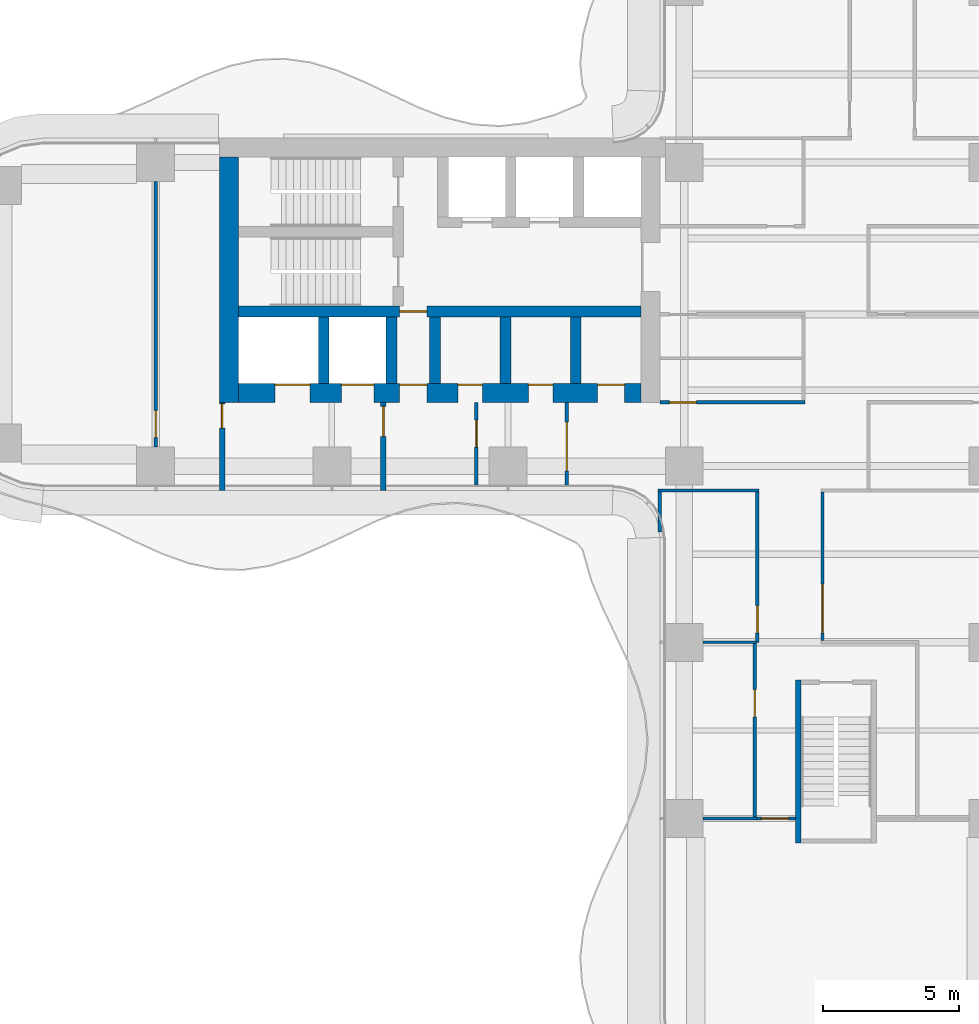
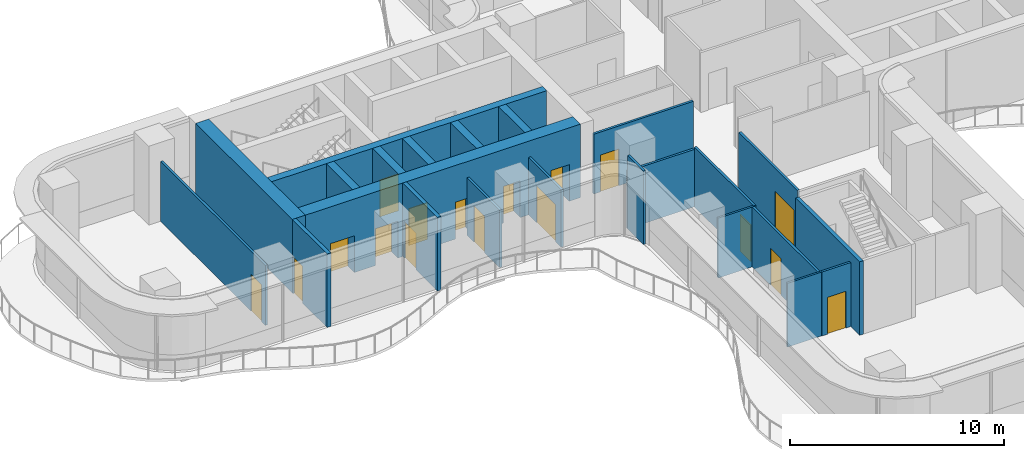
# One storey, part 17 of 22: 23 walls, 17 doors, 17 openings.
"""IFC4 building model written with IfcOpenShell, lengths in metres."""

from ifc_helpers import new_model, si_unit, direction, frame, frame_2d, origin, place, context, subcontext, project, spatial, rectangle, extrude, source, transform, mapped, material, layer, layer_set, type_object, element, fill, save


model = new_model("IFC4")

# Units and contexts
model_context = context("Model", 3, precision=1e-05, world=origin(), true_north=direction((0.0, 1.0)))
body_context = subcontext(model_context, "Body", "Model", "MODEL_VIEW")
ifc_project = project(units=[si_unit("LENGTHUNIT", "METRE"), si_unit("AREAUNIT", "SQUARE_METRE"), si_unit("VOLUMEUNIT", "CUBIC_METRE"), si_unit("PLANEANGLEUNIT", "RADIAN"), si_unit("MASSUNIT", "GRAM", prefix="KILO")], contexts=[model_context])

# Site, building, storey
site_placement = place(None, origin())
site = spatial("IfcSite", under=ifc_project, at=site_placement, CompositionType="ELEMENT")
building_placement = place(site_placement, origin())
building = spatial("IfcBuilding", under=site, at=building_placement, Name="Trellis Farm Tower", CompositionType="ELEMENT")
storey_placement = place(building_placement, frame((0.0, 0.0, 88.0)))
storey = spatial("IfcBuildingStorey", under=building, at=storey_placement, Name="L18", CompositionType="ELEMENT", Elevation=88.0)

# Wall, opening, door
ifc_material_1 = material(Name="Plasterboard on steel studs, mineral wool", Category="steel")
ifc_layer_1 = layer(ifc_material_1, 0.125)
ifc_layer_set_1 = layer_set([ifc_layer_1], Name="PARTITION 125 STUD EI 60")
wall_type_1 = type_object("IfcWallType", Name="PARTITION 125 STUD EI 60", PredefinedType="PARTITIONING", material=ifc_layer_set_1)
wall_1_placement = place(storey_placement, frame((-3.0, -18.550048828125, 0.0), z_axis=(0.0, 0.0, 1.0), x_axis=(0.0, 1.0, 0.0)))
wall_1 = element("IfcWall", 1, at=wall_1_placement, inside=storey, type_object=wall_type_1, Name="Partition PW1", PredefinedType="PARTITIONING", context=body_context, shape_type="SweptSolid", body=[
    extrude(rectangle(XDim=6.400146484375, YDim=0.125, at=frame_2d((3.2001953125, 0.0))), origin(), (0.0, 0.0, 1.0), 3.417724609375),
])
shared_shape_1 = source(origin(), body_context, "Body", "SweptSolid", [
    extrude(rectangle(XDim=1.0, YDim=2.10009765625, at=frame_2d((0.5, 1.050048828125))), frame((0.0, 0.072509765625, 0.0), z_axis=(0.0, -1.0, 0.0), x_axis=(1.0, 0.0, 0.0)), (0.0, 0.0, 1.0), 0.14501953125),
])
opening_1_placement = place(wall_1_placement, frame((3.699951171875, 0.0, 0.0)))
opening_1 = element("IfcOpeningElement", 2, at=opening_1_placement, cuts=wall_1, Name="Opening D102", PredefinedType="OPENING", context=body_context, shape_type="MappedRepresentation", body=[
    mapped(shared_shape_1, transform((0.0, 0.0, 0.0))),
])
ifc_material_2 = material(Name="Fire-rated timber door leaf in a hollow metal frame", Category="wood")
door_type_1 = type_object("IfcDoorType", Name="DOOR 1000x2100 FD30S", OperationType="NOTDEFINED", PredefinedType="DOOR", material=ifc_material_2)
shared_shape_2 = source(origin(), body_context, "Body", "SweptSolid", [
    extrude(rectangle(XDim=1.0, YDim=2.10009765625, at=frame_2d((0.5, 1.050048828125))), frame((0.0, 0.02490234375, 0.0), z_axis=(0.0, -1.0, 0.0), x_axis=(1.0, 0.0, 0.0)), (0.0, 0.0, 1.0), 0.050048828125),
])
door_1_placement = place(opening_1_placement, origin())
door_1 = element("IfcDoor", 3, at=door_1_placement, inside=storey, type_object=door_type_1, Name="Door D102", OperationType="SINGLE_SWING_RIGHT", OverallHeight=2.10009765625, OverallWidth=1.0, PredefinedType="DOOR", context=body_context, shape_type="MappedRepresentation", body=[
    mapped(shared_shape_2, transform((0.0, 0.0, 0.0))),
])
fill(opening_1, door_1)

# Walls
ifc_material_3 = material(Name="Concrete C80/95", Category="concrete")
ifc_layer_2 = layer(ifc_material_3, 0.699951171875)
ifc_layer_set_2 = layer_set([ifc_layer_2], Name="CORE OUTER WALL 700 CONCRETE C80/95")
wall_type_2 = type_object("IfcWallType", Name="CORE OUTER WALL 700 CONCRETE C80/95", PredefinedType="SHEAR", material=ifc_layer_set_2)
shared_shape_3 = source(origin(), body_context, "Body", "SweptSolid", [
    extrude(rectangle(XDim=9.050048828125, YDim=0.699951171875, at=frame_2d((4.52490234375, 0.0))), origin(), (0.0, 0.0, 1.0), 4.199951171875),
])
wall_2_placement = place(storey_placement, frame((-22.39990234375, 5.800048828125, 0.0), z_axis=(0.0, 0.0, 1.0), x_axis=(0.0, -1.0, 0.0)))
element("IfcWall", 4, at=wall_2_placement, inside=storey, type_object=wall_type_2, Name="Core wall", PredefinedType="SHEAR", context=body_context, shape_type="MappedRepresentation", body=[
    mapped(shared_shape_3, transform((0.0, 0.0, 0.0))),
])
ifc_layer_3 = layer(ifc_material_3, 0.39990234375)
ifc_layer_set_3 = layer_set([ifc_layer_3], Name="CORE INNER WALL 400 CONCRETE C80/95")
wall_type_3 = type_object("IfcWallType", Name="CORE INNER WALL 400 CONCRETE C80/95", PredefinedType="SHEAR", material=ifc_layer_set_3)
shared_shape_4 = source(origin(), body_context, "Body", "SweptSolid", [
    extrude(rectangle(XDim=2.449951171875, YDim=0.39990234375, at=frame_2d((1.22509765625, 0.0))), origin(), (0.0, 0.0, 1.0), 4.199951171875),
])
for number, where, z_axis, x_axis, name in (
    (5, (-9.60009765625, -0.10009765625, 0.0), (0.0, 0.0, 1.0), (0.0, -1.0, 0.0), "Core wall"),
    (6, (-12.199951171875, -0.10009765625, 0.0), (0.0, 0.0, 1.0), (0.0, -1.0, 0.0), "Core wall"),
    (7, (-14.800048828125, -0.10009765625, 0.0), (0.0, 0.0, 1.0), (0.0, -1.0, 0.0), "Core wall"),
    (8, (-16.39990234375, -0.10009765625, 0.0), (0.0, 0.0, 1.0), (0.0, -1.0, 0.0), "Core wall"),
    (9, (-18.89990234375, -0.10009765625, 0.0), (0.0, 0.0, 1.0), (0.0, -1.0, 0.0), "Core wall"),
):
    element("IfcWall", number, at=place(storey_placement, frame(where, z_axis=z_axis, x_axis=x_axis)), inside=storey, type_object=wall_type_3, Name=name, PredefinedType="SHEAR", context=body_context, shape_type="MappedRepresentation", body=[
        mapped(shared_shape_4, transform((0.0, 0.0, 0.0))),
    ])

# Wall, opening, door
ifc_material_4 = material(Name="Masonry blockwork", Category="masonry")
ifc_layer_4 = layer(ifc_material_4, 0.199951171875)
ifc_layer_set_4 = layer_set([ifc_layer_4], Name="FIRE LOBBY PARTITION 200 BLOCKWORK")
wall_type_4 = type_object("IfcWallType", Name="FIRE LOBBY PARTITION 200 BLOCKWORK", PredefinedType="PARTITIONING", material=ifc_layer_set_4)
shared_shape_5 = source(origin(), body_context, "Body", "SweptSolid", [
    extrude(rectangle(XDim=3.25, YDim=0.199951171875, at=frame_2d((1.625, 0.0))), origin(), (0.0, 0.0, 1.0), 4.199951171875),
])
wall_3_placement = place(storey_placement, frame((-16.699951171875, -3.25, 0.0), z_axis=(0.0, 0.0, 1.0), x_axis=(0.0, -1.0, 0.0)))
wall_3 = element("IfcWall", 10, at=wall_3_placement, inside=storey, type_object=wall_type_4, Name="Fire-fighting lobby partition", PredefinedType="PARTITIONING", context=body_context, shape_type="MappedRepresentation", body=[
    mapped(shared_shape_5, transform((0.0, 0.0, 0.0))),
])
shared_shape_6 = source(origin(), body_context, "Body", "SweptSolid", [
    extrude(rectangle(XDim=1.10009765625, YDim=2.10009765625, at=frame_2d((0.550048828125, 1.050048828125))), frame((0.0, 0.110107421875, 0.0), z_axis=(0.0, -1.0, 0.0), x_axis=(1.0, 0.0, 0.0)), (0.0, 0.0, 1.0), 0.22021484375),
])
opening_2_placement = place(wall_3_placement, frame((0.14990234375, 0.0, 0.0)))
opening_2 = element("IfcOpeningElement", 11, at=opening_2_placement, cuts=wall_3, Name="Opening DC93", PredefinedType="OPENING", context=body_context, shape_type="MappedRepresentation", body=[
    mapped(shared_shape_6, transform((0.0, 0.0, 0.0))),
])
ifc_material_5 = material(Name="Steel", Category="steel")
door_type_2 = type_object("IfcDoorType", Name="CORE FIRE DOOR 1100 X 2100", OperationType="NOTDEFINED", PredefinedType="DOOR", material=ifc_material_5)
shared_shape_7 = source(origin(), body_context, "Body", "SweptSolid", [
    extrude(rectangle(XDim=1.10009765625, YDim=2.10009765625, at=frame_2d((0.550048828125, 1.050048828125))), frame((0.0, 0.02490234375, 0.0), z_axis=(0.0, -1.0, 0.0), x_axis=(1.0, 0.0, 0.0)), (0.0, 0.0, 1.0), 0.050048828125),
])
door_2_placement = place(opening_2_placement, origin())
door_2 = element("IfcDoor", 12, at=door_2_placement, inside=storey, type_object=door_type_2, Name="Core door", OperationType="SINGLE_SWING_RIGHT", OverallHeight=2.10009765625, OverallWidth=1.10009765625, PredefinedType="DOOR", context=body_context, shape_type="MappedRepresentation", body=[
    mapped(shared_shape_7, transform((0.0, 0.0, 0.0))),
])
fill(opening_2, door_2)

wall_4_placement = place(storey_placement, frame((-22.64990234375, -3.25, 0.0), z_axis=(0.0, 0.0, 1.0), x_axis=(0.0, -1.0, 0.0)))
wall_4 = element("IfcWall", 13, at=wall_4_placement, inside=storey, type_object=wall_type_4, Name="Fire-fighting lobby partition", PredefinedType="PARTITIONING", context=body_context, shape_type="MappedRepresentation", body=[
    mapped(shared_shape_5, transform((0.0, 0.0, 0.0))),
])
shared_shape_8 = source(origin(), body_context, "Body", "SweptSolid", [
    extrude(rectangle(XDim=0.89990234375, YDim=2.10009765625, at=frame_2d((0.449951171875, 1.050048828125))), frame((0.0, 0.110107421875, 0.0), z_axis=(0.0, -1.0, 0.0), x_axis=(1.0, 0.0, 0.0)), (0.0, 0.0, 1.0), 0.22021484375),
])
opening_3_placement = place(wall_4_placement, frame((0.050048828125, 0.0, 0.0)))
opening_3 = element("IfcOpeningElement", 14, at=opening_3_placement, cuts=wall_4, Name="Opening DC94", PredefinedType="OPENING", context=body_context, shape_type="MappedRepresentation", body=[
    mapped(shared_shape_8, transform((0.0, 0.0, 0.0))),
])
door_type_3 = type_object("IfcDoorType", Name="CORE FIRE DOOR 900 X 2100", OperationType="NOTDEFINED", PredefinedType="DOOR", material=ifc_material_5)
shared_shape_9 = source(origin(), body_context, "Body", "SweptSolid", [
    extrude(rectangle(XDim=0.89990234375, YDim=2.10009765625, at=frame_2d((0.449951171875, 1.050048828125))), frame((0.0, 0.02490234375, 0.0), z_axis=(0.0, -1.0, 0.0), x_axis=(1.0, 0.0, 0.0)), (0.0, 0.0, 1.0), 0.050048828125),
])
door_3_placement = place(opening_3_placement, origin())
door_3 = element("IfcDoor", 15, at=door_3_placement, inside=storey, type_object=door_type_3, Name="Core door", OperationType="SINGLE_SWING_RIGHT", OverallHeight=2.10009765625, OverallWidth=0.89990234375, PredefinedType="DOOR", context=body_context, shape_type="MappedRepresentation", body=[
    mapped(shared_shape_9, transform((0.0, 0.0, 0.0))),
])
fill(opening_3, door_3)

# Wall, openings, doors
shared_shape_10 = source(origin(), body_context, "Body", "SweptSolid", [
    extrude(rectangle(XDim=14.85009765625, YDim=0.699951171875, at=frame_2d((7.425048828125, 0.0))), origin(), (0.0, 0.0, 1.0), 4.199951171875),
])
wall_5_placement = place(storey_placement, frame((-7.199951171875, -2.89990234375, 0.0), z_axis=(0.0, 0.0, 1.0), x_axis=(-1.0, 0.0, 0.0)))
wall_5 = element("IfcWall", 16, at=wall_5_placement, inside=storey, type_object=wall_type_2, Name="Core wall", PredefinedType="SHEAR", context=body_context, shape_type="MappedRepresentation", body=[
    mapped(shared_shape_10, transform((0.0, 0.0, 0.0))),
])
shared_shape_11 = source(origin(), body_context, "Body", "SweptSolid", [
    extrude(rectangle(XDim=1.300048828125, YDim=2.10009765625, at=frame_2d((0.64990234375, 1.050048828125))), frame((0.0, 0.360107421875, 0.0), z_axis=(0.0, -1.0, 0.0), x_axis=(1.0, 0.0, 0.0)), (0.0, 0.0, 1.0), 0.72021484375),
])
opening_4_placement = place(wall_5_placement, frame((12.199951171875, 0.0, 0.0)))
opening_4 = element("IfcOpeningElement", 17, at=opening_4_placement, cuts=wall_5, Name="Opening LD15", PredefinedType="OPENING", context=body_context, shape_type="MappedRepresentation", body=[
    mapped(shared_shape_11, transform((0.0, 0.0, 0.0))),
])
shared_shape_12 = source(origin(), body_context, "Body", "SweptSolid", [
    extrude(rectangle(XDim=1.199951171875, YDim=2.10009765625, at=frame_2d((0.60009765625, 1.050048828125))), frame((0.0, 0.360107421875, 0.0), z_axis=(0.0, -1.0, 0.0), x_axis=(1.0, 0.0, 0.0)), (0.0, 0.0, 1.0), 0.72021484375),
])
opening_5_placement = place(wall_5_placement, frame((9.85009765625, 0.0, 0.0)))
opening_5 = element("IfcOpeningElement", 18, at=opening_5_placement, cuts=wall_5, Name="Opening LD16", PredefinedType="OPENING", context=body_context, shape_type="MappedRepresentation", body=[
    mapped(shared_shape_12, transform((0.0, 0.0, 0.0))),
])
shared_shape_13 = source(origin(), body_context, "Body", "SweptSolid", [
    extrude(rectangle(XDim=1.0, YDim=2.10009765625, at=frame_2d((0.5, 1.050048828125))), frame((0.0, 0.360107421875, 0.0), z_axis=(0.0, -1.0, 0.0), x_axis=(1.0, 0.0, 0.0)), (0.0, 0.0, 1.0), 0.72021484375),
])
opening_6_placement = place(wall_5_placement, frame((7.89990234375, 0.0, 0.0)))
opening_6 = element("IfcOpeningElement", 19, at=opening_6_placement, cuts=wall_5, Name="Opening DC92", PredefinedType="OPENING", context=body_context, shape_type="MappedRepresentation", body=[
    mapped(shared_shape_13, transform((0.0, 0.0, 0.0))),
])
opening_7_placement = place(wall_5_placement, frame((0.60009765625, 0.0, 0.0)))
opening_7 = element("IfcOpeningElement", 20, at=opening_7_placement, cuts=wall_5, Name="Opening DC99", PredefinedType="OPENING", context=body_context, shape_type="MappedRepresentation", body=[
    mapped(shared_shape_13, transform((0.0, 0.0, 0.0))),
])
shared_shape_14 = source(origin(), body_context, "Body", "SweptSolid", [
    extrude(rectangle(XDim=0.89990234375, YDim=2.10009765625, at=frame_2d((0.449951171875, 1.050048828125))), frame((0.0, 0.360107421875, 0.0), z_axis=(0.0, -1.0, 0.0), x_axis=(1.0, 0.0, 0.0)), (0.0, 0.0, 1.0), 0.72021484375),
])
opening_8_placement = place(wall_5_placement, frame((3.25, 0.0, 0.0)))
opening_8 = element("IfcOpeningElement", 21, at=opening_8_placement, cuts=wall_5, Name="Opening DC110", PredefinedType="OPENING", context=body_context, shape_type="MappedRepresentation", body=[
    mapped(shared_shape_14, transform((0.0, 0.0, 0.0))),
])
opening_9_placement = place(wall_5_placement, frame((5.85009765625, 0.0, 0.0)))
opening_9 = element("IfcOpeningElement", 22, at=opening_9_placement, cuts=wall_5, Name="Opening DC121", PredefinedType="OPENING", context=body_context, shape_type="MappedRepresentation", body=[
    mapped(shared_shape_14, transform((0.0, 0.0, 0.0))),
])
door_type_4 = type_object("IfcDoorType", Name="CORE FIRE DOOR 1000 X 2100", OperationType="NOTDEFINED", PredefinedType="DOOR", material=ifc_material_5)
shared_shape_15 = source(origin(), body_context, "Body", "SweptSolid", [
    extrude(rectangle(XDim=1.0, YDim=2.10009765625, at=frame_2d((0.5, 1.050048828125))), frame((0.0, -0.27490234375, 0.0), z_axis=(0.0, -1.0, 0.0), x_axis=(1.0, 0.0, 0.0)), (0.0, 0.0, 1.0), 0.050048828125),
])
door_4_placement = place(opening_6_placement, origin())
door_4 = element("IfcDoor", 23, at=door_4_placement, inside=storey, type_object=door_type_4, Name="Core door", OperationType="SINGLE_SWING_LEFT", OverallHeight=2.10009765625, OverallWidth=1.0, PredefinedType="DOOR", context=body_context, shape_type="MappedRepresentation", body=[
    mapped(shared_shape_15, transform((0.0, 0.0, 0.0))),
])
fill(opening_6, door_4)
door_5_placement = place(opening_7_placement, origin())
door_5 = element("IfcDoor", 24, at=door_5_placement, inside=storey, type_object=door_type_4, Name="Core door", OperationType="SINGLE_SWING_LEFT", OverallHeight=2.10009765625, OverallWidth=1.0, PredefinedType="DOOR", context=body_context, shape_type="MappedRepresentation", body=[
    mapped(shared_shape_15, transform((0.0, 0.0, 0.0))),
])
fill(opening_7, door_5)
shared_shape_16 = source(origin(), body_context, "Body", "SweptSolid", [
    extrude(rectangle(XDim=0.89990234375, YDim=2.10009765625, at=frame_2d((0.449951171875, 1.050048828125))), frame((0.0, -0.27490234375, 0.0), z_axis=(0.0, -1.0, 0.0), x_axis=(1.0, 0.0, 0.0)), (0.0, 0.0, 1.0), 0.050048828125),
])
door_6_placement = place(opening_8_placement, origin())
door_6 = element("IfcDoor", 25, at=door_6_placement, inside=storey, type_object=door_type_3, Name="Core door", OperationType="SINGLE_SWING_RIGHT", OverallHeight=2.10009765625, OverallWidth=0.89990234375, PredefinedType="DOOR", context=body_context, shape_type="MappedRepresentation", body=[
    mapped(shared_shape_16, transform((0.0, 0.0, 0.0))),
])
fill(opening_8, door_6)
door_7_placement = place(opening_9_placement, origin())
door_7 = element("IfcDoor", 26, at=door_7_placement, inside=storey, type_object=door_type_3, Name="Core door", OperationType="SINGLE_SWING_LEFT", OverallHeight=2.10009765625, OverallWidth=0.89990234375, PredefinedType="DOOR", context=body_context, shape_type="MappedRepresentation", body=[
    mapped(shared_shape_16, transform((0.0, 0.0, 0.0))),
])
fill(opening_9, door_7)
ifc_material_6 = material(Name="Stainless steel", Category="steel")
door_type_5 = type_object("IfcDoorType", Name="LIFT LANDING DOOR 1300 X 2100", OperationType="DOUBLE_DOOR_SLIDING", PredefinedType="DOOR", material=ifc_material_6)
shared_shape_17 = source(origin(), body_context, "Body", "SweptSolid", [
    extrude(rectangle(XDim=1.300048828125, YDim=2.10009765625, at=frame_2d((0.64990234375, 1.050048828125))), frame((0.0, -0.27490234375, 0.0), z_axis=(0.0, -1.0, 0.0), x_axis=(1.0, 0.0, 0.0)), (0.0, 0.0, 1.0), 0.050048828125),
])
door_8_placement = place(opening_4_placement, origin())
door_8 = element("IfcDoor", 27, at=door_8_placement, inside=storey, type_object=door_type_5, Name="Lift landing door", OperationType="DOUBLE_DOOR_SLIDING", OverallHeight=2.10009765625, OverallWidth=1.300048828125, PredefinedType="DOOR", context=body_context, shape_type="MappedRepresentation", body=[
    mapped(shared_shape_17, transform((0.0, 0.0, 0.0))),
])
fill(opening_4, door_8)
door_type_6 = type_object("IfcDoorType", Name="LIFT LANDING DOOR 1200 X 2100", OperationType="DOUBLE_DOOR_SLIDING", PredefinedType="DOOR", material=ifc_material_6)
shared_shape_18 = source(origin(), body_context, "Body", "SweptSolid", [
    extrude(rectangle(XDim=1.199951171875, YDim=2.10009765625, at=frame_2d((0.60009765625, 1.050048828125))), frame((0.0, -0.27490234375, 0.0), z_axis=(0.0, -1.0, 0.0), x_axis=(1.0, 0.0, 0.0)), (0.0, 0.0, 1.0), 0.050048828125),
])
door_9_placement = place(opening_5_placement, origin())
door_9 = element("IfcDoor", 28, at=door_9_placement, inside=storey, type_object=door_type_6, Name="Lift landing door", OperationType="DOUBLE_DOOR_SLIDING", OverallHeight=2.10009765625, OverallWidth=1.199951171875, PredefinedType="DOOR", context=body_context, shape_type="MappedRepresentation", body=[
    mapped(shared_shape_18, transform((0.0, 0.0, 0.0))),
])
fill(opening_5, door_9)

# Wall, opening, door
shared_shape_19 = source(origin(), body_context, "Body", "SweptSolid", [
    extrude(rectangle(XDim=14.85009765625, YDim=0.39990234375, at=frame_2d((7.425048828125, 0.0))), origin(), (0.0, 0.0, 1.0), 4.199951171875),
])
wall_6_placement = place(storey_placement, frame((-7.199951171875, 0.10009765625, 0.0), z_axis=(0.0, 0.0, 1.0), x_axis=(-1.0, 0.0, 0.0)))
wall_6 = element("IfcWall", 29, at=wall_6_placement, inside=storey, type_object=wall_type_3, Name="Core wall", PredefinedType="SHEAR", context=body_context, shape_type="MappedRepresentation", body=[
    mapped(shared_shape_19, transform((0.0, 0.0, 0.0))),
])
shared_shape_20 = source(origin(), body_context, "Body", "SweptSolid", [
    extrude(rectangle(XDim=1.0, YDim=2.10009765625, at=frame_2d((0.5, 1.050048828125))), frame((0.0, 0.2099609375, 0.0), z_axis=(0.0, -1.0, 0.0), x_axis=(1.0, 0.0, 0.0)), (0.0, 0.0, 1.0), 0.419921875),
])
opening_10_placement = place(wall_6_placement, frame((7.89990234375, 0.0, 0.0)))
opening_10 = element("IfcOpeningElement", 30, at=opening_10_placement, cuts=wall_6, Name="Opening DC91", PredefinedType="OPENING", context=body_context, shape_type="MappedRepresentation", body=[
    mapped(shared_shape_20, transform((0.0, 0.0, 0.0))),
])
door_10_placement = place(opening_10_placement, origin())
door_10 = element("IfcDoor", 31, at=door_10_placement, inside=storey, type_object=door_type_4, Name="Core door", OperationType="SINGLE_SWING_RIGHT", OverallHeight=2.10009765625, OverallWidth=1.0, PredefinedType="DOOR", context=body_context, shape_type="MappedRepresentation", body=[
    mapped(shared_shape_2, transform((0.0, 0.0, 0.0))),
])
fill(opening_10, door_10)

# Wall
ifc_layer_5 = layer(ifc_material_3, 0.199951171875)
ifc_layer_set_5 = layer_set([ifc_layer_5], Name="CORE STAIR ENCLOSURE WALL 200 CONCRETE C80/95")
wall_type_5 = type_object("IfcWallType", Name="CORE STAIR ENCLOSURE WALL 200 CONCRETE C80/95", PredefinedType="SHEAR", material=ifc_layer_set_5)
shared_shape_21 = source(origin(), body_context, "Body", "SweptSolid", [
    extrude(rectangle(XDim=6.0, YDim=0.199951171875, at=frame_2d((3.0, 0.0))), origin(), (0.0, 0.0, 1.0), 4.199951171875),
])
wall_7_placement = place(storey_placement, frame((-1.39990234375, -13.5, 0.0), z_axis=(0.0, 0.0, 1.0), x_axis=(0.0, -1.0, 0.0)))
element("IfcWall", 32, at=wall_7_placement, inside=storey, type_object=wall_type_5, Name="Stair enclosure wall", PredefinedType="SHEAR", context=body_context, shape_type="MappedRepresentation", body=[
    mapped(shared_shape_21, transform((0.0, 0.0, 0.0))),
])

# Wall, opening, door
shared_shape_22 = source(origin(), body_context, "Body", "SweptSolid", [
    extrude(rectangle(XDim=3.050048828125, YDim=0.125, at=frame_2d((1.52490234375, 0.0))), origin(), (0.0, 0.0, 1.0), 3.280029296875),
])
wall_8_placement = place(storey_placement, frame((-13.26708984375, -6.300048828125, 0.0), z_axis=(0.0, 0.0, 1.0), x_axis=(0.0, 1.0, 0.0)))
wall_8 = element("IfcWall", 33, at=wall_8_placement, inside=storey, type_object=wall_type_1, Name="Partition PW1", PredefinedType="PARTITIONING", context=body_context, shape_type="MappedRepresentation", body=[
    mapped(shared_shape_22, transform((0.0, 0.0, 0.0))),
])
opening_11_placement = place(wall_8_placement, frame((1.39990234375, 0.0, 0.0)))
opening_11 = element("IfcOpeningElement", 34, at=opening_11_placement, cuts=wall_8, Name="Opening D301", PredefinedType="OPENING", context=body_context, shape_type="MappedRepresentation", body=[
    mapped(shared_shape_1, transform((0.0, 0.0, 0.0))),
])
door_type_7 = type_object("IfcDoorType", Name="DOOR 1000x2100 FD60", OperationType="NOTDEFINED", PredefinedType="DOOR", material=ifc_material_2)
door_11_placement = place(opening_11_placement, origin())
door_11 = element("IfcDoor", 35, at=door_11_placement, inside=storey, type_object=door_type_7, Name="Door D301", OperationType="SINGLE_SWING_LEFT", OverallHeight=2.10009765625, OverallWidth=1.0, PredefinedType="DOOR", context=body_context, shape_type="MappedRepresentation", body=[
    mapped(shared_shape_2, transform((0.0, 0.0, 0.0))),
])
fill(opening_11, door_11)

wall_9_placement = place(storey_placement, frame((-9.93408203125, -6.300048828125, 0.0), z_axis=(0.0, 0.0, 1.0), x_axis=(0.0, 1.0, 0.0)))
wall_9 = element("IfcWall", 36, at=wall_9_placement, inside=storey, type_object=wall_type_1, Name="Partition PW1", PredefinedType="PARTITIONING", context=body_context, shape_type="MappedRepresentation", body=[
    mapped(shared_shape_22, transform((0.0, 0.0, 0.0))),
])
shared_shape_23 = source(origin(), body_context, "Body", "SweptSolid", [
    extrude(rectangle(XDim=1.800048828125, YDim=2.10009765625, at=frame_2d((0.89990234375, 1.050048828125))), frame((0.0, 0.072509765625, 0.0), z_axis=(0.0, -1.0, 0.0), x_axis=(1.0, 0.0, 0.0)), (0.0, 0.0, 1.0), 0.14501953125),
])
opening_12_placement = place(wall_9_placement, frame((0.52490234375, 0.0, 0.0)))
opening_12 = element("IfcOpeningElement", 37, at=opening_12_placement, cuts=wall_9, Name="Opening D401", PredefinedType="OPENING", context=body_context, shape_type="MappedRepresentation", body=[
    mapped(shared_shape_23, transform((0.0, 0.0, 0.0))),
])
door_type_8 = type_object("IfcDoorType", Name="DOOR PAIR 1800x2100 FD60", OperationType="NOTDEFINED", PredefinedType="DOOR", material=ifc_material_2)
shared_shape_24 = source(origin(), body_context, "Body", "SweptSolid", [
    extrude(rectangle(XDim=1.800048828125, YDim=2.10009765625, at=frame_2d((0.89990234375, 1.050048828125))), frame((0.0, 0.02490234375, 0.0), z_axis=(0.0, -1.0, 0.0), x_axis=(1.0, 0.0, 0.0)), (0.0, 0.0, 1.0), 0.050048828125),
])
door_12_placement = place(opening_12_placement, origin())
door_12 = element("IfcDoor", 38, at=door_12_placement, inside=storey, type_object=door_type_8, Name="Door D401", OperationType="DOUBLE_DOOR_SINGLE_SWING", OverallHeight=2.10009765625, OverallWidth=1.800048828125, PredefinedType="DOOR", context=body_context, shape_type="MappedRepresentation", body=[
    mapped(shared_shape_24, transform((0.0, 0.0, 0.0))),
])
fill(opening_12, door_12)

shared_shape_25 = source(origin(), body_context, "Body", "SweptSolid", [
    extrude(rectangle(XDim=5.47509765625, YDim=0.125, at=frame_2d((2.737548828125, 0.0))), origin(), (0.0, 0.0, 1.0), 3.417724609375),
])
wall_10_placement = place(storey_placement, frame((-0.5, -12.03759765625, 0.0), z_axis=(0.0, 0.0, 1.0), x_axis=(0.0, 1.0, 0.0)))
wall_10 = element("IfcWall", 39, at=wall_10_placement, inside=storey, type_object=wall_type_1, Name="Partition PW1", PredefinedType="PARTITIONING", context=body_context, shape_type="MappedRepresentation", body=[
    mapped(shared_shape_25, transform((0.0, 0.0, 0.0))),
])
opening_13_placement = place(wall_10_placement, frame((0.28759765625, 0.0, 0.0)))
opening_13 = element("IfcOpeningElement", 40, at=opening_13_placement, cuts=wall_10, Name="Opening D201", PredefinedType="OPENING", context=body_context, shape_type="MappedRepresentation", body=[
    mapped(shared_shape_23, transform((0.0, 0.0, 0.0))),
])
door_type_9 = type_object("IfcDoorType", Name="DOOR PAIR 1800x2100 FD30S", OperationType="NOTDEFINED", PredefinedType="DOOR", material=ifc_material_2)
door_13_placement = place(opening_13_placement, origin())
door_13 = element("IfcDoor", 41, at=door_13_placement, inside=storey, type_object=door_type_9, Name="Door D201", OperationType="DOUBLE_DOOR_SINGLE_SWING", OverallHeight=2.10009765625, OverallWidth=1.800048828125, PredefinedType="DOOR", context=body_context, shape_type="MappedRepresentation", body=[
    mapped(shared_shape_24, transform((0.0, 0.0, 0.0))),
])
fill(opening_13, door_13)

shared_shape_26 = source(origin(), body_context, "Body", "SweptSolid", [
    extrude(rectangle(XDim=5.53759765625, YDim=0.125, at=frame_2d((2.768798828125, 0.0))), origin(), (0.0, 0.0, 1.0), 3.417724609375),
])
wall_11_placement = place(storey_placement, frame((-2.89990234375, -12.10009765625, 0.0), z_axis=(0.0, 0.0, 1.0), x_axis=(0.0, 1.0, 0.0)))
wall_11 = element("IfcWall", 42, at=wall_11_placement, inside=storey, type_object=wall_type_1, Name="Partition PW1", PredefinedType="PARTITIONING", context=body_context, shape_type="MappedRepresentation", body=[
    mapped(shared_shape_26, transform((0.0, 0.0, 0.0))),
])
opening_14_placement = place(wall_11_placement, frame((0.35009765625, 0.0, 0.0)))
opening_14 = element("IfcOpeningElement", 43, at=opening_14_placement, cuts=wall_11, Name="Opening D103", PredefinedType="OPENING", context=body_context, shape_type="MappedRepresentation", body=[
    mapped(shared_shape_1, transform((0.0, 0.0, 0.0))),
])
door_14_placement = place(opening_14_placement, origin())
door_14 = element("IfcDoor", 44, at=door_14_placement, inside=storey, type_object=door_type_1, Name="Door D103", OperationType="SINGLE_SWING_LEFT", OverallHeight=2.10009765625, OverallWidth=1.0, PredefinedType="DOOR", context=body_context, shape_type="MappedRepresentation", body=[
    mapped(shared_shape_2, transform((0.0, 0.0, 0.0))),
])
fill(opening_14, door_14)

# Wall
shared_shape_27 = source(origin(), body_context, "Body", "SweptSolid", [
    extrude(rectangle(XDim=1.468994140625, YDim=0.125, at=frame_2d((0.734375, 0.0))), origin(), (0.0, 0.0, 1.0), 4.199951171875),
])
wall_12_placement = place(storey_placement, frame((-6.5, -6.5625, 0.0), z_axis=(0.0, 0.0, 1.0), x_axis=(0.0, -1.0, 0.0)))
element("IfcWall", 45, at=wall_12_placement, inside=storey, type_object=wall_type_1, Name="Partition PW1", PredefinedType="PARTITIONING", context=body_context, shape_type="MappedRepresentation", body=[
    mapped(shared_shape_27, transform((0.0, 0.0, 0.0))),
])

# Wall, opening, door
shared_shape_28 = source(origin(), body_context, "Body", "SweptSolid", [
    extrude(rectangle(XDim=9.7998046875, YDim=0.125, at=frame_2d((4.89990234375, 0.0))), origin(), (0.0, 0.0, 1.0), 3.417724609375),
])
wall_13_placement = place(storey_placement, frame((-25.10009765625, -4.89990234375, 0.0), z_axis=(0.0, 0.0, 1.0), x_axis=(0.0, 1.0, 0.0)))
wall_13 = element("IfcWall", 46, at=wall_13_placement, inside=storey, type_object=wall_type_1, Name="Partition PW1", PredefinedType="PARTITIONING", context=body_context, shape_type="MappedRepresentation", body=[
    mapped(shared_shape_28, transform((0.0, 0.0, 0.0))),
])
opening_15_placement = place(wall_13_placement, frame((0.35009765625, 0.0, 0.0)))
opening_15 = element("IfcOpeningElement", 47, at=opening_15_placement, cuts=wall_13, Name="Opening D104", PredefinedType="OPENING", context=body_context, shape_type="MappedRepresentation", body=[
    mapped(shared_shape_1, transform((0.0, 0.0, 0.0))),
])
door_15_placement = place(opening_15_placement, origin())
door_15 = element("IfcDoor", 48, at=door_15_placement, inside=storey, type_object=door_type_1, Name="Door D104", OperationType="SINGLE_SWING_LEFT", OverallHeight=2.10009765625, OverallWidth=1.0, PredefinedType="DOOR", context=body_context, shape_type="MappedRepresentation", body=[
    mapped(shared_shape_2, transform((0.0, 0.0, 0.0))),
])
fill(opening_15, door_15)

# Wall
ifc_material_7 = material(Name="Plasterboard on steel studs", Category="steel")
ifc_layer_6 = layer(ifc_material_7, 0.10009765625)
ifc_layer_set_6 = layer_set([ifc_layer_6], Name="PARTITION 100 STUD EI 30")
wall_type_6 = type_object("IfcWallType", Name="PARTITION 100 STUD EI 30", PredefinedType="PARTITIONING", material=ifc_layer_set_6)
shared_shape_29 = source(origin(), body_context, "Body", "SweptSolid", [
    extrude(rectangle(XDim=1.96240234375, YDim=0.10009765625, at=frame_2d((0.981201171875, 0.0))), origin(), (0.0, 0.0, 1.0), 3.64697265625),
])
wall_14_placement = place(storey_placement, frame((-4.89990234375, -18.60009765625, 0.0), z_axis=(0.0, 0.0, 1.0), x_axis=(1.0, 0.0, 0.0)))
element("IfcWall", 49, at=wall_14_placement, inside=storey, type_object=wall_type_6, Name="Partition PW2", PredefinedType="PARTITIONING", context=body_context, shape_type="MappedRepresentation", body=[
    mapped(shared_shape_29, transform((0.0, 0.0, 0.0))),
])

# Wall, opening, door
shared_shape_30 = source(origin(), body_context, "Body", "SweptSolid", [
    extrude(rectangle(XDim=1.5625, YDim=0.125, at=frame_2d((0.78125, 0.0))), origin(), (0.0, 0.0, 1.0), 3.64697265625),
])
wall_15_placement = place(storey_placement, frame((-1.5, -18.60009765625, 0.0), z_axis=(0.0, 0.0, 1.0), x_axis=(-1.0, 0.0, 0.0)))
wall_15 = element("IfcWall", 50, at=wall_15_placement, inside=storey, type_object=wall_type_1, Name="Partition PW1", PredefinedType="PARTITIONING", context=body_context, shape_type="MappedRepresentation", body=[
    mapped(shared_shape_30, transform((0.0, 0.0, 0.0))),
])
opening_16_placement = place(wall_15_placement, frame((0.25, 0.0, 0.0)))
opening_16 = element("IfcOpeningElement", 51, at=opening_16_placement, cuts=wall_15, Name="Opening D101", PredefinedType="OPENING", context=body_context, shape_type="MappedRepresentation", body=[
    mapped(shared_shape_1, transform((0.0, 0.0, 0.0))),
])
door_16_placement = place(opening_16_placement, origin())
door_16 = element("IfcDoor", 52, at=door_16_placement, inside=storey, type_object=door_type_1, Name="Door D101", OperationType="SINGLE_SWING_LEFT", OverallHeight=2.10009765625, OverallWidth=1.0, PredefinedType="DOOR", context=body_context, shape_type="MappedRepresentation", body=[
    mapped(shared_shape_2, transform((0.0, 0.0, 0.0))),
])
fill(opening_16, door_16)

shared_shape_31 = source(origin(), body_context, "Body", "SweptSolid", [
    extrude(rectangle(XDim=5.362548828125, YDim=0.125, at=frame_2d((2.68115234375, 0.0))), origin(), (0.0, 0.0, 1.0), 3.417724609375),
])
wall_16_placement = place(storey_placement, frame((-1.137451171875, -3.25, 0.0), z_axis=(0.0, 0.0, 1.0), x_axis=(-1.0, 0.0, 0.0)))
wall_16 = element("IfcWall", 53, at=wall_16_placement, inside=storey, type_object=wall_type_1, Name="Partition PW1", PredefinedType="PARTITIONING", context=body_context, shape_type="MappedRepresentation", body=[
    mapped(shared_shape_31, transform((0.0, 0.0, 0.0))),
])
opening_17_placement = place(wall_16_placement, frame((4.012451171875, 0.0, 0.0)))
opening_17 = element("IfcOpeningElement", 54, at=opening_17_placement, cuts=wall_16, Name="Opening D105", PredefinedType="OPENING", context=body_context, shape_type="MappedRepresentation", body=[
    mapped(shared_shape_1, transform((0.0, 0.0, 0.0))),
])
door_17_placement = place(opening_17_placement, origin())
door_17 = element("IfcDoor", 55, at=door_17_placement, inside=storey, type_object=door_type_1, Name="Door D105", OperationType="SINGLE_SWING_RIGHT", OverallHeight=2.10009765625, OverallWidth=1.0, PredefinedType="DOOR", context=body_context, shape_type="MappedRepresentation", body=[
    mapped(shared_shape_2, transform((0.0, 0.0, 0.0))),
])
fill(opening_17, door_17)

# Walls
shared_shape_32 = source(origin(), body_context, "Body", "SweptSolid", [
    extrude(rectangle(XDim=3.72509765625, YDim=0.125, at=frame_2d((1.862548828125, 0.0))), origin(), (0.0, 0.0, 1.0), 3.280029296875),
])
wall_17_placement = place(storey_placement, frame((-2.83740234375, -6.5, 0.0), z_axis=(0.0, 0.0, 1.0), x_axis=(-1.0, 0.0, 0.0)))
element("IfcWall", 56, at=wall_17_placement, inside=storey, type_object=wall_type_1, Name="Partition PW1", PredefinedType="PARTITIONING", context=body_context, shape_type="MappedRepresentation", body=[
    mapped(shared_shape_32, transform((0.0, 0.0, 0.0))),
])
shared_shape_33 = source(origin(), body_context, "Body", "SweptSolid", [
    extrude(rectangle(XDim=1.96240234375, YDim=0.10009765625, at=frame_2d((0.981201171875, 0.0))), origin(), (0.0, 0.0, 1.0), 3.417724609375),
])
wall_18_placement = place(storey_placement, frame((-4.89990234375, -12.10009765625, 0.0), z_axis=(0.0, 0.0, 1.0), x_axis=(1.0, 0.0, 0.0)))
element("IfcWall", 57, at=wall_18_placement, inside=storey, type_object=wall_type_6, Name="Partition PW2", PredefinedType="PARTITIONING", context=body_context, shape_type="MappedRepresentation", body=[
    mapped(shared_shape_33, transform((0.0, 0.0, 0.0))),
])

save(model, "model.ifc")
